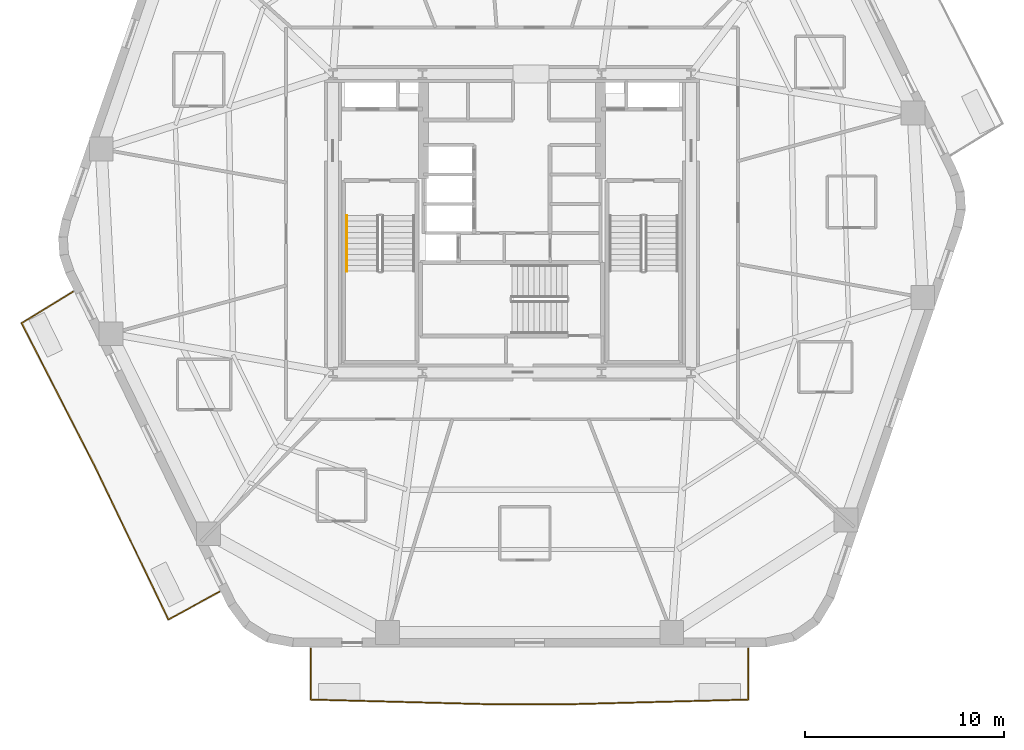
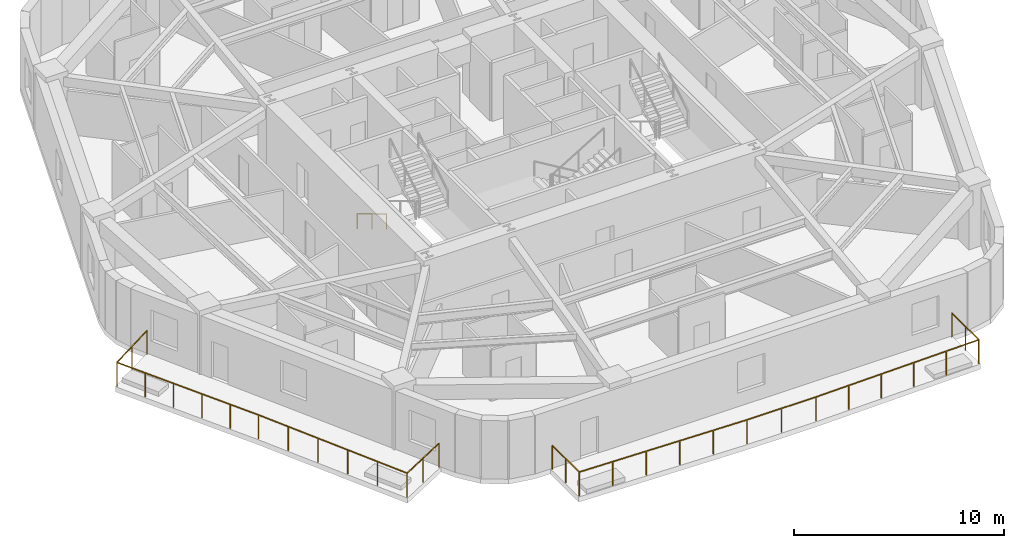
# One storey, part 7 of 9: 3 railings.
"""IFC4 building model written with IfcOpenShell, lengths in metres."""

from ifc_helpers import new_model, si_unit, direction, frame, origin, origin_2d, place, context, subcontext, project, spatial, rectangle, extrude, material, layer, layer_set, type_object, element, save


model = new_model("IFC4")

# Units and contexts
model_context = context("Model", 3, precision=1e-05, world=origin(), true_north=direction((0.0, 1.0)))
body_context = subcontext(model_context, "Body", "Model", "MODEL_VIEW")
ifc_project = project(units=[si_unit("LENGTHUNIT", "METRE"), si_unit("AREAUNIT", "SQUARE_METRE"), si_unit("VOLUMEUNIT", "CUBIC_METRE"), si_unit("PLANEANGLEUNIT", "RADIAN"), si_unit("MASSUNIT", "GRAM", prefix="KILO")], contexts=[model_context])

# Site, building, storey
site_placement = place(None, origin())
site = spatial("IfcSite", under=ifc_project, at=site_placement, CompositionType="ELEMENT")
building_placement = place(site_placement, origin())
building = spatial("IfcBuilding", under=site, at=building_placement, Name="Kilnhurst Terrace Hotel", CompositionType="ELEMENT")
storey_placement = place(building_placement, frame((0.0, 0.0, 128.39990234375)))
storey = spatial("IfcBuildingStorey", under=building, at=storey_placement, Name="L31", CompositionType="ELEMENT", Elevation=128.39990234375)

# Railings
ifc_material_1 = material(Name="Laminated SentryGlas and Stainless Steel AISI 316L Balustrade", Category="steel")
ifc_layer_1 = layer(ifc_material_1, 0.070068359375, Name="Laminated SentryGlas and Stainless Steel AISI 316L Balustrade")
ifc_layer_set_1 = layer_set([ifc_layer_1], Name="Laminated SentryGlas and Stainless Steel AISI 316L Balustrade")
railing_type_1 = type_object("IfcRailingType", Name="RLG-BAL-1420", PredefinedType="BALUSTRADE", material=ifc_layer_set_1)
railing_1_placement = place(storey_placement, frame((-14.722900390625, -18.529541015625, 0.0)))
element("IfcRailing", 1, at=railing_1_placement, inside=storey, type_object=railing_type_1, Name="L31 Exterior Terrace Guardrail BAL-L2A.1", PredefinedType="BALUSTRADE", context=body_context, shape_type="SweptSolid", body=[
    extrude(rectangle(XDim=0.048095703125, YDim=0.048095703125, at=origin_2d()), frame((0.0, 0.0, 1.39599609375), z_axis=(-0.878553207741, -0.477644492451, 0.0), x_axis=(0.477644492451, -0.878553207741, 0.0)), (0.0, 0.0, 1.0), 2.90478515625),
    extrude(rectangle(XDim=0.048095703125, YDim=0.048095703125, at=origin_2d()), frame((-2.552001953125, -1.387451171875, 1.39599609375), z_axis=(-0.43291229924, 0.901436043858, 0.0), x_axis=(-0.901436043858, -0.43291229924, 0.0)), (0.0, 0.0, 1.0), 8.583251953125),
    extrude(rectangle(XDim=0.048095703125, YDim=0.048095703125, at=origin_2d()), frame((-6.267822265625, 6.349853515625, 1.39599609375), z_axis=(-0.514495755428, 0.857492925713, 0.0), x_axis=(-0.857492925713, -0.514495755428, 0.0)), (0.0, 0.0, 1.0), 0.00146484375),
    extrude(rectangle(XDim=0.048095703125, YDim=0.048095703125, at=origin_2d()), frame((-6.2685546875, 6.35107421875, 1.39599609375), z_axis=(-0.455744437697, 0.890110671494, 0.0), x_axis=(-0.890110671494, -0.455744437697, 0.0)), (0.0, 0.0, 1.0), 8.039794921875),
    extrude(rectangle(XDim=0.048095703125, YDim=0.048095703125, at=origin_2d()), frame((-9.9326171875, 13.50732421875, 1.39599609375), z_axis=(0.85191630472, 0.523677963784, 0.0), x_axis=(-0.523677963784, 0.85191630472, 0.0)), (0.0, 0.0, 1.0), 3.0205078125),
    extrude(rectangle(XDim=0.0419921875, YDim=0.0419921875, at=origin_2d()), origin(), (0.0, 0.0, 1.0), 1.371826171875),
    extrude(rectangle(XDim=0.0419921875, YDim=0.0419921875, at=origin_2d()), frame((-1.27587890625, -0.69384765625, 0.0)), (0.0, 0.0, 1.0), 1.371826171875),
    extrude(rectangle(XDim=0.0419921875, YDim=0.0419921875, at=origin_2d()), frame((-2.552001953125, -1.387451171875, 0.0)), (0.0, 0.0, 1.0), 1.371826171875),
    extrude(rectangle(XDim=0.0419921875, YDim=0.0419921875, at=origin_2d()), frame((-3.295166015625, 0.159912109375, 0.0)), (0.0, 0.0, 1.0), 1.371826171875),
    extrude(rectangle(XDim=0.0419921875, YDim=0.0419921875, at=origin_2d()), frame((-4.038330078125, 1.70751953125, 0.0)), (0.0, 0.0, 1.0), 1.371826171875),
    extrude(rectangle(XDim=0.0419921875, YDim=0.0419921875, at=origin_2d()), frame((-4.781494140625, 3.2548828125, 0.0)), (0.0, 0.0, 1.0), 1.371826171875),
    extrude(rectangle(XDim=0.0419921875, YDim=0.0419921875, at=origin_2d()), frame((-5.524658203125, 4.802490234375, 0.0)), (0.0, 0.0, 1.0), 1.371826171875),
    extrude(rectangle(XDim=0.0419921875, YDim=0.0419921875, at=origin_2d()), frame((-6.267822265625, 6.349853515625, 0.0)), (0.0, 0.0, 1.0), 1.371826171875),
    extrude(rectangle(XDim=0.0419921875, YDim=0.0419921875, at=origin_2d()), frame((-6.2685546875, 6.35107421875, 0.0)), (0.0, 0.0, 1.0), 1.371826171875),
    extrude(rectangle(XDim=0.0419921875, YDim=0.0419921875, at=origin_2d()), frame((-7.00146484375, 7.7822265625, 0.0)), (0.0, 0.0, 1.0), 1.371826171875),
    extrude(rectangle(XDim=0.0419921875, YDim=0.0419921875, at=origin_2d()), frame((-7.734130859375, 9.213623046875, 0.0)), (0.0, 0.0, 1.0), 1.371826171875),
    extrude(rectangle(XDim=0.0419921875, YDim=0.0419921875, at=origin_2d()), frame((-8.467041015625, 10.644775390625, 0.0)), (0.0, 0.0, 1.0), 1.371826171875),
    extrude(rectangle(XDim=0.0419921875, YDim=0.0419921875, at=origin_2d()), frame((-9.19970703125, 12.076171875, 0.0)), (0.0, 0.0, 1.0), 1.371826171875),
    extrude(rectangle(XDim=0.0419921875, YDim=0.0419921875, at=origin_2d()), frame((-9.9326171875, 13.50732421875, 0.0)), (0.0, 0.0, 1.0), 1.371826171875),
    extrude(rectangle(XDim=0.0419921875, YDim=0.0419921875, at=origin_2d()), frame((-8.64599609375, 14.29833984375, 0.0)), (0.0, 0.0, 1.0), 1.371826171875),
    extrude(rectangle(XDim=0.0419921875, YDim=0.0419921875, at=origin_2d()), frame((-7.359375, 15.089111328125, 0.0)), (0.0, 0.0, 1.0), 1.371826171875),
])
railing_2_placement = place(storey_placement, frame((11.8837890625, -21.3798828125, 0.0)))
element("IfcRailing", 2, at=railing_2_placement, inside=storey, type_object=railing_type_1, Name="L31 Exterior Terrace Guardrail BAL-L2B.1", PredefinedType="BALUSTRADE", context=body_context, shape_type="SweptSolid", body=[
    extrude(rectangle(XDim=0.048095703125, YDim=0.048095703125, at=origin_2d()), frame((0.0, 0.0, 1.39599609375), z_axis=(0.0, -1.0, 0.0), x_axis=(1.0, 0.0, 0.0)), (0.0, 0.0, 1.0), 2.561767578125),
    extrude(rectangle(XDim=0.048095703125, YDim=0.048095703125, at=origin_2d()), frame((0.0, -2.561767578125, 1.39599609375), z_axis=(-0.999657105501, -0.026185328367, 0.0), x_axis=(0.026185328367, -0.999657105501, 0.0)), (0.0, 0.0, 1.0), 9.099853515625),
    extrude(rectangle(XDim=0.048095703125, YDim=0.048095703125, at=origin_2d()), frame((-9.0966796875, -2.800048828125, 1.39599609375), z_axis=(-1.0, 0.0, 0.0), x_axis=(0.0, -1.0, 0.0)), (0.0, 0.0, 1.0), 3.8134765625),
    extrude(rectangle(XDim=0.048095703125, YDim=0.048095703125, at=origin_2d()), frame((-12.91015625, -2.800048828125, 1.39599609375), z_axis=(-0.999657105501, 0.026185328367, 0.0), x_axis=(-0.026185328367, -0.999657105501, 0.0)), (0.0, 0.0, 1.0), 9.099853515625),
    extrude(rectangle(XDim=0.048095703125, YDim=0.048095703125, at=origin_2d()), frame((-22.0068359375, -2.561767578125, 1.39599609375), z_axis=(0.0, 1.0, 0.0), x_axis=(-1.0, 0.0, 0.0)), (0.0, 0.0, 1.0), 2.561767578125),
    extrude(rectangle(XDim=0.0419921875, YDim=0.0419921875, at=origin_2d()), origin(), (0.0, 0.0, 1.0), 1.371826171875),
    extrude(rectangle(XDim=0.0419921875, YDim=0.0419921875, at=origin_2d()), frame((0.0, -1.28076171875, 0.0)), (0.0, 0.0, 1.0), 1.371826171875),
    extrude(rectangle(XDim=0.0419921875, YDim=0.0419921875, at=origin_2d()), frame((0.0, -2.561767578125, 0.0)), (0.0, 0.0, 1.0), 1.371826171875),
    extrude(rectangle(XDim=0.0419921875, YDim=0.0419921875, at=origin_2d()), frame((-1.8193359375, -2.609375, 0.0)), (0.0, 0.0, 1.0), 1.371826171875),
    extrude(rectangle(XDim=0.0419921875, YDim=0.0419921875, at=origin_2d()), frame((-3.638671875, -2.656982421875, 0.0)), (0.0, 0.0, 1.0), 1.371826171875),
    extrude(rectangle(XDim=0.0419921875, YDim=0.0419921875, at=origin_2d()), frame((-5.4580078125, -2.704833984375, 0.0)), (0.0, 0.0, 1.0), 1.371826171875),
    extrude(rectangle(XDim=0.0419921875, YDim=0.0419921875, at=origin_2d()), frame((-7.27734375, -2.75244140625, 0.0)), (0.0, 0.0, 1.0), 1.371826171875),
    extrude(rectangle(XDim=0.0419921875, YDim=0.0419921875, at=origin_2d()), frame((-9.0966796875, -2.800048828125, 0.0)), (0.0, 0.0, 1.0), 1.371826171875),
    extrude(rectangle(XDim=0.0419921875, YDim=0.0419921875, at=origin_2d()), frame((-11.00341796875, -2.800048828125, 0.0)), (0.0, 0.0, 1.0), 1.371826171875),
    extrude(rectangle(XDim=0.0419921875, YDim=0.0419921875, at=origin_2d()), frame((-12.91015625, -2.800048828125, 0.0)), (0.0, 0.0, 1.0), 1.371826171875),
    extrude(rectangle(XDim=0.0419921875, YDim=0.0419921875, at=origin_2d()), frame((-14.7294921875, -2.75244140625, 0.0)), (0.0, 0.0, 1.0), 1.371826171875),
    extrude(rectangle(XDim=0.0419921875, YDim=0.0419921875, at=origin_2d()), frame((-16.548828125, -2.704833984375, 0.0)), (0.0, 0.0, 1.0), 1.371826171875),
    extrude(rectangle(XDim=0.0419921875, YDim=0.0419921875, at=origin_2d()), frame((-18.3681640625, -2.656982421875, 0.0)), (0.0, 0.0, 1.0), 1.371826171875),
    extrude(rectangle(XDim=0.0419921875, YDim=0.0419921875, at=origin_2d()), frame((-20.1875, -2.609375, 0.0)), (0.0, 0.0, 1.0), 1.371826171875),
    extrude(rectangle(XDim=0.0419921875, YDim=0.0419921875, at=origin_2d()), frame((-22.0068359375, -2.561767578125, 0.0)), (0.0, 0.0, 1.0), 1.371826171875),
    extrude(rectangle(XDim=0.0419921875, YDim=0.0419921875, at=origin_2d()), frame((-22.0068359375, -1.28076171875, 0.0)), (0.0, 0.0, 1.0), 1.371826171875),
    extrude(rectangle(XDim=0.0419921875, YDim=0.0419921875, at=origin_2d()), frame((-22.0068359375, 0.0, 0.0)), (0.0, 0.0, 1.0), 1.371826171875),
])
ifc_material_2 = material(Name="Brushed Stainless Steel AISI 304", Category="steel")
ifc_layer_2 = layer(ifc_material_2, 0.048095703125, Name="Brushed Stainless Steel AISI 304")
ifc_layer_set_2 = layer_set([ifc_layer_2], Name="Brushed Stainless Steel AISI 304")
railing_type_2 = type_object("IfcRailingType", Name="RLG-ST-HRL-900", PredefinedType="HANDRAIL", material=ifc_layer_set_2)
railing_3_placement = place(storey_placement, frame((-8.300048828125, 0.389892578125, 0.168212890625)))
element("IfcRailing", 3, at=railing_3_placement, inside=storey, type_object=railing_type_2, Name="L31 ST-1 stair handrail 1", PredefinedType="HANDRAIL", context=body_context, shape_type="SweptSolid", body=[
    extrude(rectangle(XDim=0.048095703125, YDim=0.048095703125, at=origin_2d()), frame((0.0, 0.0, 0.8759765625), z_axis=(0.0, -0.857222391501, 0.514946377315), x_axis=(1.0, 0.0, 0.0)), (0.0, 0.0, 1.0), 3.26611328125),
    extrude(rectangle(XDim=0.0419921875, YDim=0.0419921875, at=origin_2d()), origin(), (0.0, 0.0, 1.0), 0.851806640625),
    extrude(rectangle(XDim=0.0419921875, YDim=0.0419921875, at=origin_2d()), frame((0.0, -1.39990234375, 0.8408203125)), (0.0, 0.0, 1.0), 0.851806640625),
    extrude(rectangle(XDim=0.0419921875, YDim=0.0419921875, at=origin_2d()), frame((0.0, -2.7998046875, 1.681884765625)), (0.0, 0.0, 1.0), 0.851806640625),
])

save(model, "model.ifc")
